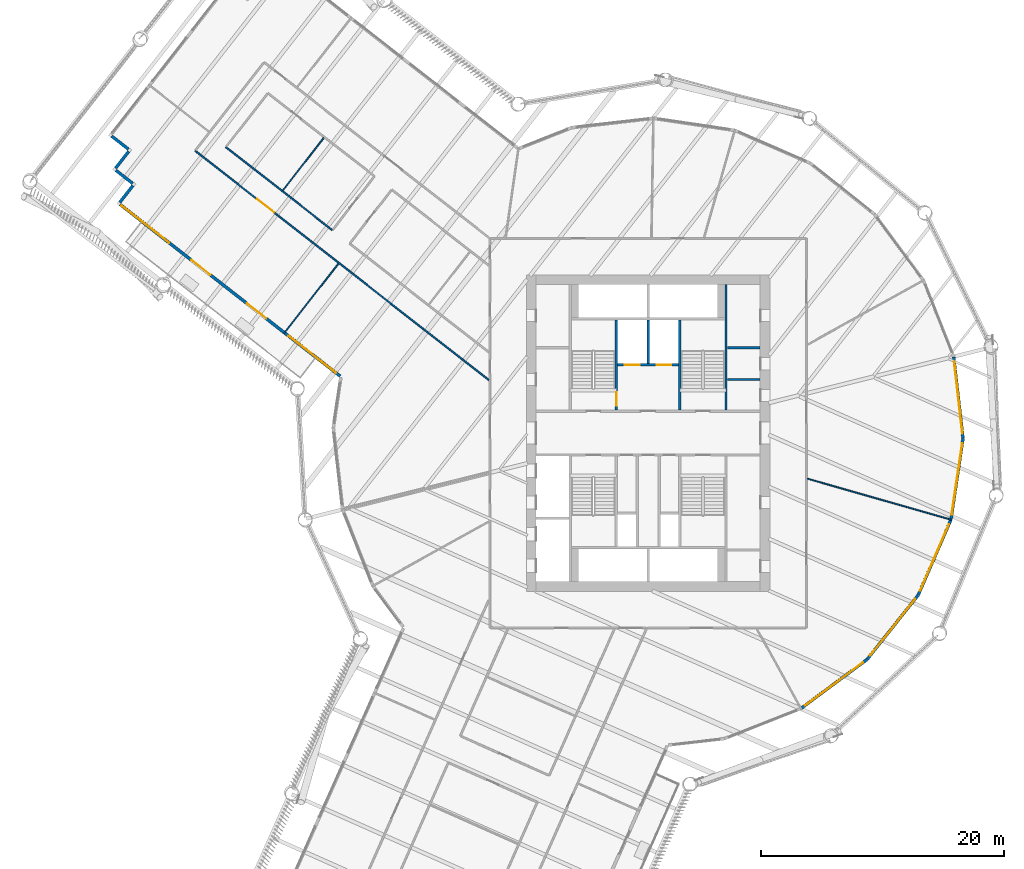
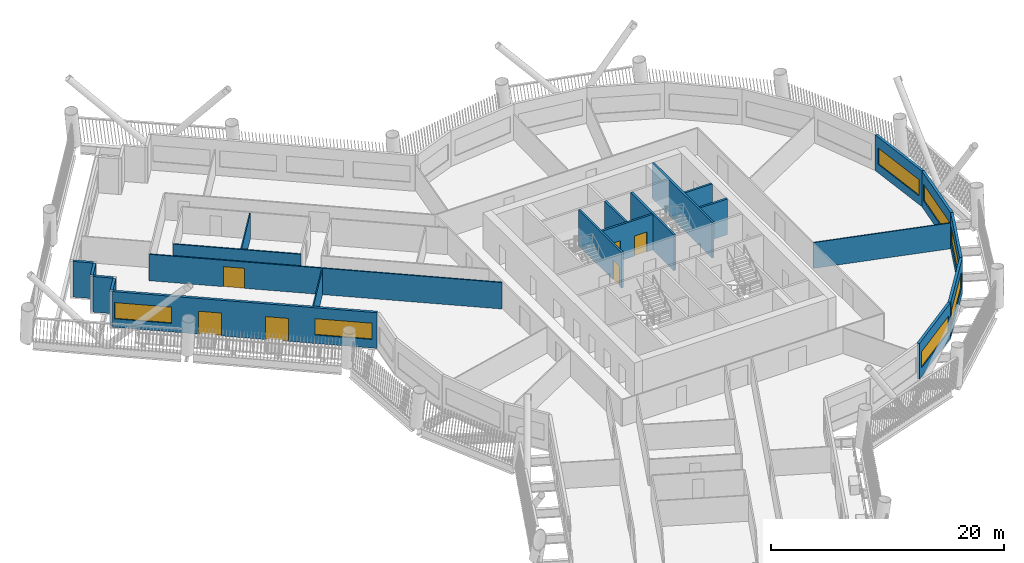
# One storey, part 6 of 22: 22 walls, 7 windows, 6 doors, 13 openings.
"""IFC4 building model written with IfcOpenShell, lengths in metres."""

from ifc_helpers import new_model, si_unit, direction, frame, frame_2d, origin, place, context, subcontext, project, spatial, rectangle, extrude, material, layer, layer_set, type_object, element, fill, save


model = new_model("IFC4")

# Units and contexts
model_context = context("Model", 3, precision=1e-05, world=origin(), true_north=direction((0.0, 1.0)))
body_context = subcontext(model_context, "Body", "Model", "MODEL_VIEW")
ifc_project = project(units=[si_unit("LENGTHUNIT", "METRE"), si_unit("AREAUNIT", "SQUARE_METRE"), si_unit("VOLUMEUNIT", "CUBIC_METRE"), si_unit("PLANEANGLEUNIT", "RADIAN"), si_unit("MASSUNIT", "GRAM", prefix="KILO")], contexts=[model_context])

# Site, building, storey
site_placement = place(None, origin())
site = spatial("IfcSite", under=ifc_project, at=site_placement, CompositionType="ELEMENT")
building_placement = place(site_placement, origin())
building = spatial("IfcBuilding", under=site, at=building_placement, Name="Tarsis Ring Headquarters", CompositionType="ELEMENT")
storey_placement = place(building_placement, frame((0.0, 0.0, 116.199951171875)))
storey = spatial("IfcBuildingStorey", under=building, at=storey_placement, Name="L26", CompositionType="ELEMENT", Elevation=116.199951171875)

# Walls
ifc_material_1 = material(Name="Blockwork", Category="masonry")
ifc_layer_1 = layer(ifc_material_1, 0.199951171875)
ifc_layer_set_1 = layer_set([ifc_layer_1], Name="Core blockwork wall 200")
wall_type_1 = type_object("IfcWallType", Name="Core blockwork wall 200", PredefinedType="PARTITIONING", material=ifc_layer_set_1)
for number, where, z_axis, x_axis, name in (
    (1, (6.5, 4.39990234375, 0.0), (0.0, 0.0, 1.0), (1.0, 0.0, 0.0), "Core partition ED5"),
    (2, (6.5, 7.0, 0.0), (0.0, 0.0, 1.0), (1.0, 0.0, 0.0), "Core partition ED6"),
):
    element("IfcWall", number, at=place(storey_placement, frame(where, z_axis=z_axis, x_axis=x_axis)), inside=storey, type_object=wall_type_1, Name=name, PredefinedType="PARTITIONING", context=body_context, shape_type="SweptSolid", body=[
        extrude(rectangle(XDim=2.699951171875, YDim=0.199951171875, at=frame_2d((1.35009765625, 0.0))), origin(), (0.0, 0.0, 1.0), 3.739990234375),
    ])
ifc_material_2 = material(Name="Gypsum board on steel studs", Category="steel")
ifc_layer_2 = layer(ifc_material_2, 0.10009765625)
ifc_layer_set_2 = layer_set([ifc_layer_2], Name="FL partition 100 unrated")
wall_type_2 = type_object("IfcWallType", Name="FL partition 100 unrated", PredefinedType="PARTITIONING", material=ifc_layer_set_2)
wall_1_placement = place(storey_placement, frame((13.0673828125, -3.737060546875, 0.0), z_axis=(0.0, 0.0, 1.0), x_axis=(0.961453085906, -0.274969022986, 0.0)))
element("IfcWall", 3, at=wall_1_placement, inside=storey, type_object=wall_type_2, Name="Partition PW3", PredefinedType="PARTITIONING", context=body_context, shape_type="SweptSolid", body=[
    extrude(rectangle(XDim=12.356689453125, YDim=0.10009765625, at=frame_2d((6.17822265625, 0.0))), origin(), (0.0, 0.0, 1.0), 2.699951171875),
])
wall_2_placement = place(storey_placement, frame((-29.915771484375, 8.1826171875, 0.0), z_axis=(0.0, 0.0, 1.0), x_axis=(0.615118651761, 0.788434552931, 0.0)))
element("IfcWall", 4, at=wall_2_placement, inside=storey, type_object=wall_type_2, Name="Partition PW3", PredefinedType="PARTITIONING", context=body_context, shape_type="SweptSolid", body=[
    extrude(rectangle(XDim=7.27001953125, YDim=0.10009765625, at=frame_2d((3.635009765625, 0.0))), origin(), (0.0, 0.0, 1.0), 2.699951171875),
])
wall_3_placement = place(storey_placement, frame((-30.006103515625, 19.9345703125, 0.0), z_axis=(0.0, 0.0, 1.0), x_axis=(0.61509661486, 0.788451745123, 0.0)))
element("IfcWall", 5, at=wall_3_placement, inside=storey, type_object=wall_type_2, Name="Partition PW3", PredefinedType="PARTITIONING", context=body_context, shape_type="SweptSolid", body=[
    extrude(rectangle(XDim=5.479736328125, YDim=0.10009765625, at=frame_2d((2.73974609375, 0.0))), origin(), (0.0, 0.0, 1.0), 2.699951171875),
])

# Wall, opening, door
ifc_layer_3 = layer(ifc_material_2, 0.125)
ifc_layer_set_3 = layer_set([ifc_layer_3], Name="FL partition 125 EI 60 H2770")
wall_type_3 = type_object("IfcWallType", Name="FL partition 125 EI 60 H2770", PredefinedType="PARTITIONING", material=ifc_layer_set_3)
wall_4_placement = place(storey_placement, frame((-37.211669921875, 23.18408203125, 0.0), z_axis=(0.0, 0.0, 1.0), x_axis=(0.788442384615, -0.615108613289, 0.0)))
wall_4 = element("IfcWall", 6, at=wall_4_placement, inside=storey, type_object=wall_type_3, Name="Partition PW1", PredefinedType="PARTITIONING", context=body_context, shape_type="SweptSolid", body=[
    extrude(rectangle(XDim=30.58837890625, YDim=0.125, at=frame_2d((15.294189453125, 0.0))), origin(), (0.0, 0.0, 1.0), 2.77001953125),
])
opening_1_placement = place(wall_4_placement, frame((6.449951171875, 0.0, 0.0)))
opening_1 = element("IfcOpeningElement", 7, at=opening_1_placement, cuts=wall_4, Name="Opening D26.01", PredefinedType="OPENING", context=body_context, shape_type="SweptSolid", body=[
    extrude(rectangle(XDim=1.800048828125, YDim=2.10009765625, at=frame_2d((0.89990234375, 1.050048828125))), frame((0.0, 0.072509765625, 0.0), z_axis=(0.0, -1.0, 0.0), x_axis=(1.0, 0.0, 0.0)), (0.0, 0.0, 1.0), 0.14501953125),
])
ifc_material_3 = material(Name="Fire-rated timber door leaf in steel frame", Category="steel")
door_type_1 = type_object("IfcDoorType", Name="FL door FD60-1800", OperationType="DOUBLE_DOOR_SINGLE_SWING", PredefinedType="DOOR", material=ifc_material_3)
door_1_placement = place(opening_1_placement, origin())
door_1 = element("IfcDoor", 8, at=door_1_placement, inside=storey, type_object=door_type_1, Name="Door D26.01", OperationType="DOUBLE_DOOR_SINGLE_SWING", OverallHeight=2.10009765625, OverallWidth=1.800048828125, PredefinedType="DOOR", context=body_context, shape_type="SweptSolid", body=[
    extrude(rectangle(XDim=1.800048828125, YDim=2.10009765625, at=frame_2d((0.89990234375, 1.050048828125))), frame((0.0, 0.02490234375, 0.0), z_axis=(0.0, -1.0, 0.0), x_axis=(1.0, 0.0, 0.0)), (0.0, 0.0, 1.0), 0.050048828125),
])
fill(opening_1, door_1)

# Wall
wall_5_placement = place(storey_placement, frame((-34.685302734375, 23.49609375, 0.0), z_axis=(0.0, 0.0, 1.0), x_axis=(0.78844534387, -0.615104820115, 0.0)))
element("IfcWall", 9, at=wall_5_placement, inside=storey, type_object=wall_type_3, Name="Partition PW1", PredefinedType="PARTITIONING", context=body_context, shape_type="SweptSolid", body=[
    extrude(rectangle(XDim=11.099853515625, YDim=0.125, at=frame_2d((5.5498046875, 0.0))), origin(), (0.0, 0.0, 1.0), 2.77001953125),
])

# Wall, openings, doors, windows
ifc_material_4 = material(Name="Terracotta clad insulated panel wall", Category="masonry")
ifc_layer_4 = layer(ifc_material_4, 0.25)
ifc_layer_set_4 = layer_set([ifc_layer_4], Name="Facade wall terracotta panel 250")
wall_type_4 = type_object("IfcWallType", Name="Facade wall terracotta panel 250", PredefinedType="STANDARD", material=ifc_layer_set_4)
wall_6_placement = place(storey_placement, frame((-43.37548828125, 18.778564453125, 0.0), z_axis=(0.0, 0.0, 1.0), x_axis=(0.788437736319, -0.6151145714, 0.0)))
wall_6 = element("IfcWall", 10, at=wall_6_placement, inside=storey, type_object=wall_type_4, Name="External wall L26-01", PredefinedType="STANDARD", context=body_context, shape_type="SweptSolid", body=[
    extrude(rectangle(XDim=22.921875, YDim=0.25, at=frame_2d((11.4609375, 0.0))), origin(), (0.0, 0.0, 1.0), 3.739990234375),
])
opening_2_placement = place(wall_6_placement, frame((0.17138671875, 0.0, 0.89990234375)))
opening_2 = element("IfcOpeningElement", 11, at=opening_2_placement, cuts=wall_6, Name="Opening WN05", PredefinedType="OPENING", context=body_context, shape_type="SweptSolid", body=[
    extrude(rectangle(XDim=4.949951171875, YDim=1.699951171875, at=frame_2d((2.47509765625, 0.85009765625))), frame((0.0, 0.135009765625, 0.0), z_axis=(0.0, -1.0, 0.0), x_axis=(1.0, 0.0, 0.0)), (0.0, 0.0, 1.0), 0.27001953125),
])
opening_3_placement = place(wall_6_placement, frame((7.439453125, 0.0, 0.0)))
opening_3 = element("IfcOpeningElement", 12, at=opening_3_placement, cuts=wall_6, Name="Opening L26-BD01", PredefinedType="OPENING", context=body_context, shape_type="SweptSolid", body=[
    extrude(rectangle(XDim=2.0, YDim=2.39990234375, at=frame_2d((1.0, 1.199951171875))), frame((0.0, 0.135009765625, 0.0), z_axis=(0.0, -1.0, 0.0), x_axis=(1.0, 0.0, 0.0)), (0.0, 0.0, 1.0), 0.27001953125),
])
opening_4_placement = place(wall_6_placement, frame((13.232421875, 0.0, 0.0)))
opening_4 = element("IfcOpeningElement", 13, at=opening_4_placement, cuts=wall_6, Name="Opening L26-BD02", PredefinedType="OPENING", context=body_context, shape_type="SweptSolid", body=[
    extrude(rectangle(XDim=2.0, YDim=2.39990234375, at=frame_2d((1.0, 1.199951171875))), frame((0.0, 0.135009765625, 0.0), z_axis=(0.0, -1.0, 0.0), x_axis=(1.0, 0.0, 0.0)), (0.0, 0.0, 1.0), 0.27001953125),
])
opening_5_placement = place(wall_6_placement, frame((17.550537109375, 0.0, 0.89990234375)))
opening_5 = element("IfcOpeningElement", 14, at=opening_5_placement, cuts=wall_6, Name="Opening WN05", PredefinedType="OPENING", context=body_context, shape_type="SweptSolid", body=[
    extrude(rectangle(XDim=4.949951171875, YDim=1.699951171875, at=frame_2d((2.47509765625, 0.85009765625))), frame((0.0, 0.135009765625, 0.0), z_axis=(0.0, -1.0, 0.0), x_axis=(1.0, 0.0, 0.0)), (0.0, 0.0, 1.0), 0.27001953125),
])
ifc_material_5 = material(Name="Aluminium framed double glazing", Category="aluminium")
door_type_2 = type_object("IfcDoorType", Name="Balcony sliding door 2000 x 2400", OperationType="SLIDING_TO_LEFT", PredefinedType="DOOR", material=ifc_material_5)
door_2_placement = place(opening_3_placement, origin())
door_2 = element("IfcDoor", 15, at=door_2_placement, inside=storey, type_object=door_type_2, Name="Door L26-BD01", OperationType="SINGLE_SWING_LEFT", OverallHeight=2.39990234375, OverallWidth=2.0, PredefinedType="DOOR", context=body_context, shape_type="SweptSolid", body=[
    extrude(rectangle(XDim=2.0, YDim=2.39990234375, at=frame_2d((1.0, 1.199951171875))), frame((0.0, 0.02490234375, 0.0), z_axis=(0.0, -1.0, 0.0), x_axis=(1.0, 0.0, 0.0)), (0.0, 0.0, 1.0), 0.050048828125),
])
fill(opening_3, door_2)
door_3_placement = place(opening_4_placement, origin())
door_3 = element("IfcDoor", 16, at=door_3_placement, inside=storey, type_object=door_type_2, Name="Door L26-BD02", OperationType="SINGLE_SWING_LEFT", OverallHeight=2.39990234375, OverallWidth=2.0, PredefinedType="DOOR", context=body_context, shape_type="SweptSolid", body=[
    extrude(rectangle(XDim=2.0, YDim=2.39990234375, at=frame_2d((1.0, 1.199951171875))), frame((0.0, 0.02490234375, 0.0), z_axis=(0.0, -1.0, 0.0), x_axis=(1.0, 0.0, 0.0)), (0.0, 0.0, 1.0), 0.050048828125),
])
fill(opening_4, door_3)
window_type_1 = type_object("IfcWindowType", Name="Facade window 4950 x 1700", PartitioningType="SINGLE_PANEL", PredefinedType="WINDOW", material=ifc_material_5)
window_1_placement = place(opening_2_placement, origin())
window_1 = element("IfcWindow", 17, at=window_1_placement, inside=storey, type_object=window_type_1, Name="Window L26-01.1", OverallHeight=1.699951171875, OverallWidth=4.949951171875, PartitioningType="SINGLE_PANEL", PredefinedType="WINDOW", context=body_context, shape_type="SweptSolid", body=[
    extrude(rectangle(XDim=4.949951171875, YDim=1.699951171875, at=frame_2d((2.47509765625, 0.85009765625))), frame((0.0, 0.030029296875, 0.0), z_axis=(0.0, -1.0, 0.0), x_axis=(1.0, 0.0, 0.0)), (0.0, 0.0, 1.0), 0.06005859375),
])
fill(opening_2, window_1)
window_2_placement = place(opening_5_placement, origin())
window_2 = element("IfcWindow", 18, at=window_2_placement, inside=storey, type_object=window_type_1, Name="Window L26-01.4", OverallHeight=1.699951171875, OverallWidth=4.949951171875, PartitioningType="SINGLE_PANEL", PredefinedType="WINDOW", context=body_context, shape_type="SweptSolid", body=[
    extrude(rectangle(XDim=4.949951171875, YDim=1.699951171875, at=frame_2d((2.47509765625, 0.85009765625))), frame((0.0, 0.030029296875, 0.0), z_axis=(0.0, -1.0, 0.0), x_axis=(1.0, 0.0, 0.0)), (0.0, 0.0, 1.0), 0.06005859375),
])
fill(opening_5, window_2)

# Wall, opening, window
wall_7_placement = place(storey_placement, frame((12.572998046875, -22.611328125, 0.0), z_axis=(0.0, 0.0, 1.0), x_axis=(0.80343878567, 0.595387367754, 0.0)))
wall_7 = element("IfcWall", 19, at=wall_7_placement, inside=storey, type_object=wall_type_4, Name="External wall L26-19", PredefinedType="STANDARD", context=body_context, shape_type="SweptSolid", body=[
    extrude(rectangle(XDim=6.7216796875, YDim=0.25, at=frame_2d((3.36083984375, 0.0))), origin(), (0.0, 0.0, 1.0), 3.739990234375),
])
opening_6_placement = place(wall_7_placement, frame((0.3857421875, 0.0, 0.89990234375)))
opening_6 = element("IfcOpeningElement", 20, at=opening_6_placement, cuts=wall_7, Name="Opening WN07", PredefinedType="OPENING", context=body_context, shape_type="SweptSolid", body=[
    extrude(rectangle(XDim=5.949951171875, YDim=1.699951171875, at=frame_2d((2.97509765625, 0.85009765625))), frame((0.0, 0.135009765625, 0.0), z_axis=(0.0, -1.0, 0.0), x_axis=(1.0, 0.0, 0.0)), (0.0, 0.0, 1.0), 0.27001953125),
])
window_type_2 = type_object("IfcWindowType", Name="Facade window 5950 x 1700", PartitioningType="SINGLE_PANEL", PredefinedType="WINDOW", material=ifc_material_5)
window_3_placement = place(opening_6_placement, origin())
window_3 = element("IfcWindow", 21, at=window_3_placement, inside=storey, type_object=window_type_2, Name="Window L26-19.1", OverallHeight=1.699951171875, OverallWidth=5.949951171875, PartitioningType="SINGLE_PANEL", PredefinedType="WINDOW", context=body_context, shape_type="SweptSolid", body=[
    extrude(rectangle(XDim=5.949951171875, YDim=1.699951171875, at=frame_2d((2.97509765625, 0.85009765625))), frame((0.0, 0.030029296875, 0.0), z_axis=(0.0, -1.0, 0.0), x_axis=(1.0, 0.0, 0.0)), (0.0, 0.0, 1.0), 0.06005859375),
])
fill(opening_6, window_3)

wall_8_placement = place(storey_placement, frame((17.996826171875, -18.586669921875, 0.0), z_axis=(0.0, 0.0, 1.0), x_axis=(0.621958139493, 0.783050491806, 0.0)))
wall_8 = element("IfcWall", 22, at=wall_8_placement, inside=storey, type_object=wall_type_4, Name="External wall L26-20", PredefinedType="STANDARD", context=body_context, shape_type="SweptSolid", body=[
    extrude(rectangle(XDim=6.721435546875, YDim=0.25, at=frame_2d((3.36083984375, 0.0))), origin(), (0.0, 0.0, 1.0), 3.739990234375),
])
opening_7_placement = place(wall_8_placement, frame((0.3857421875, 0.0, 0.89990234375)))
opening_7 = element("IfcOpeningElement", 23, at=opening_7_placement, cuts=wall_8, Name="Opening WN07", PredefinedType="OPENING", context=body_context, shape_type="SweptSolid", body=[
    extrude(rectangle(XDim=5.949951171875, YDim=1.699951171875, at=frame_2d((2.97509765625, 0.85009765625))), frame((0.0, 0.135009765625, 0.0), z_axis=(0.0, -1.0, 0.0), x_axis=(1.0, 0.0, 0.0)), (0.0, 0.0, 1.0), 0.27001953125),
])
window_4_placement = place(opening_7_placement, origin())
window_4 = element("IfcWindow", 24, at=window_4_placement, inside=storey, type_object=window_type_2, Name="Window L26-20.1", OverallHeight=1.699951171875, OverallWidth=5.949951171875, PartitioningType="SINGLE_PANEL", PredefinedType="WINDOW", context=body_context, shape_type="SweptSolid", body=[
    extrude(rectangle(XDim=5.949951171875, YDim=1.699951171875, at=frame_2d((2.97509765625, 0.85009765625))), frame((0.0, 0.030029296875, 0.0), z_axis=(0.0, -1.0, 0.0), x_axis=(1.0, 0.0, 0.0)), (0.0, 0.0, 1.0), 0.06005859375),
])
fill(opening_7, window_4)

wall_9_placement = place(storey_placement, frame((22.194091796875, -13.29541015625, 0.0), z_axis=(0.0, 0.0, 1.0), x_axis=(0.398132334781, 0.917327991507, 0.0)))
wall_9 = element("IfcWall", 25, at=wall_9_placement, inside=storey, type_object=wall_type_4, Name="External wall L26-21", PredefinedType="STANDARD", context=body_context, shape_type="SweptSolid", body=[
    extrude(rectangle(XDim=6.721435546875, YDim=0.25, at=frame_2d((3.36083984375, 0.0))), origin(), (0.0, 0.0, 1.0), 3.739990234375),
])
opening_8_placement = place(wall_9_placement, frame((0.3857421875, 0.0, 0.89990234375)))
opening_8 = element("IfcOpeningElement", 26, at=opening_8_placement, cuts=wall_9, Name="Opening WN07", PredefinedType="OPENING", context=body_context, shape_type="SweptSolid", body=[
    extrude(rectangle(XDim=5.949951171875, YDim=1.699951171875, at=frame_2d((2.97509765625, 0.85009765625))), frame((0.0, 0.135009765625, 0.0), z_axis=(0.0, -1.0, 0.0), x_axis=(1.0, 0.0, 0.0)), (0.0, 0.0, 1.0), 0.27001953125),
])
window_5_placement = place(opening_8_placement, origin())
window_5 = element("IfcWindow", 27, at=window_5_placement, inside=storey, type_object=window_type_2, Name="Window L26-21.1", OverallHeight=1.699951171875, OverallWidth=5.949951171875, PartitioningType="SINGLE_PANEL", PredefinedType="WINDOW", context=body_context, shape_type="SweptSolid", body=[
    extrude(rectangle(XDim=5.949951171875, YDim=1.699951171875, at=frame_2d((2.97509765625, 0.85009765625))), frame((0.0, 0.030029296875, 0.0), z_axis=(0.0, -1.0, 0.0), x_axis=(1.0, 0.0, 0.0)), (0.0, 0.0, 1.0), 0.06005859375),
])
fill(opening_8, window_5)

wall_10_placement = place(storey_placement, frame((24.87890625, -7.09814453125, 0.0), z_axis=(0.0, 0.0, 1.0), x_axis=(0.14713968109, 0.989115723386, 0.0)))
wall_10 = element("IfcWall", 28, at=wall_10_placement, inside=storey, type_object=wall_type_4, Name="External wall L26-22", PredefinedType="STANDARD", context=body_context, shape_type="SweptSolid", body=[
    extrude(rectangle(XDim=6.7216796875, YDim=0.25, at=frame_2d((3.36083984375, 0.0))), origin(), (0.0, 0.0, 1.0), 3.739990234375),
])
opening_9_placement = place(wall_10_placement, frame((0.3857421875, 0.0, 0.89990234375)))
opening_9 = element("IfcOpeningElement", 29, at=opening_9_placement, cuts=wall_10, Name="Opening WN07", PredefinedType="OPENING", context=body_context, shape_type="SweptSolid", body=[
    extrude(rectangle(XDim=5.949951171875, YDim=1.699951171875, at=frame_2d((2.97509765625, 0.85009765625))), frame((0.0, 0.135009765625, 0.0), z_axis=(0.0, -1.0, 0.0), x_axis=(1.0, 0.0, 0.0)), (0.0, 0.0, 1.0), 0.27001953125),
])
window_6_placement = place(opening_9_placement, origin())
window_6 = element("IfcWindow", 30, at=window_6_placement, inside=storey, type_object=window_type_2, Name="Window L26-22.1", OverallHeight=1.699951171875, OverallWidth=5.949951171875, PartitioningType="SINGLE_PANEL", PredefinedType="WINDOW", context=body_context, shape_type="SweptSolid", body=[
    extrude(rectangle(XDim=5.949951171875, YDim=1.699951171875, at=frame_2d((2.97509765625, 0.85009765625))), frame((0.0, 0.030029296875, 0.0), z_axis=(0.0, -1.0, 0.0), x_axis=(1.0, 0.0, 0.0)), (0.0, 0.0, 1.0), 0.06005859375),
])
fill(opening_9, window_6)

wall_11_placement = place(storey_placement, frame((25.868408203125, -0.417236328125, 0.0), z_axis=(0.0, 0.0, 1.0), x_axis=(-0.113903063596, 0.993491868162, 0.0)))
wall_11 = element("IfcWall", 31, at=wall_11_placement, inside=storey, type_object=wall_type_4, Name="External wall L26-23", PredefinedType="STANDARD", context=body_context, shape_type="SweptSolid", body=[
    extrude(rectangle(XDim=6.7216796875, YDim=0.25, at=frame_2d((3.36083984375, 0.0))), origin(), (0.0, 0.0, 1.0), 3.739990234375),
])
opening_10_placement = place(wall_11_placement, frame((0.3857421875, 0.0, 0.89990234375)))
opening_10 = element("IfcOpeningElement", 32, at=opening_10_placement, cuts=wall_11, Name="Opening WN07", PredefinedType="OPENING", context=body_context, shape_type="SweptSolid", body=[
    extrude(rectangle(XDim=5.949951171875, YDim=1.699951171875, at=frame_2d((2.97509765625, 0.85009765625))), frame((0.0, 0.135009765625, 0.0), z_axis=(0.0, -1.0, 0.0), x_axis=(1.0, 0.0, 0.0)), (0.0, 0.0, 1.0), 0.27001953125),
])
window_7_placement = place(opening_10_placement, origin())
window_7 = element("IfcWindow", 33, at=window_7_placement, inside=storey, type_object=window_type_2, Name="Window L26-23.1", OverallHeight=1.699951171875, OverallWidth=5.949951171875, PartitioningType="SINGLE_PANEL", PredefinedType="WINDOW", context=body_context, shape_type="SweptSolid", body=[
    extrude(rectangle(XDim=5.949951171875, YDim=1.699951171875, at=frame_2d((2.97509765625, 0.85009765625))), frame((0.0, 0.030029296875, 0.0), z_axis=(0.0, -1.0, 0.0), x_axis=(1.0, 0.0, 0.0)), (0.0, 0.0, 1.0), 0.06005859375),
])
fill(opening_10, window_7)

# Walls
for number, where, z_axis, x_axis, name in (
    (34, (-44.06884765625, 24.392822265625, 0.0), (0.0, 0.0, 1.0), (0.788419753577, -0.615137620513, 0.0), "External wall L26-37"),
    (35, (-42.66748046875, 23.140869140625, 0.0), (0.0, 0.0, 1.0), (-0.615137620513, -0.788419753577, 0.0), "External wall L26-38"),
    (36, (-43.72216796875, 21.585693359375, 0.0), (0.0, 0.0, 1.0), (0.788419753577, -0.615137620513, 0.0), "External wall L26-39"),
    (37, (-42.32080078125, 20.333740234375, 0.0), (0.0, 0.0, 1.0), (-0.615137620513, -0.788419753577, 0.0), "External wall L26-40"),
):
    element("IfcWall", number, at=place(storey_placement, frame(where, z_axis=z_axis, x_axis=x_axis)), inside=storey, type_object=wall_type_4, Name=name, PredefinedType="STANDARD", context=body_context, shape_type="SweptSolid", body=[
        extrude(rectangle(XDim=1.75, YDim=0.25, at=frame_2d((0.875, 0.0))), origin(), (0.0, 0.0, 1.0), 3.739990234375),
    ])
ifc_material_6 = material(Name="Concrete C32/40", Category="concrete")
ifc_layer_5 = layer(ifc_material_6, 0.199951171875)
ifc_layer_set_5 = layer_set([ifc_layer_5], Name="Shaft wall 200 C32/40")
wall_type_5 = type_object("IfcWallType", Name="Shaft wall 200 C32/40", PredefinedType="SOLIDWALL", material=ifc_layer_set_5)
wall_12_placement = place(storey_placement, frame((6.39990234375, 1.89990234375, 0.0), z_axis=(0.0, 0.0, 1.0), x_axis=(0.0, 1.0, 0.0)))
element("IfcWall", 38, at=wall_12_placement, inside=storey, type_object=wall_type_5, Name="Core shaft wall EB2", PredefinedType="SOLIDWALL", context=body_context, shape_type="SweptSolid", body=[
    extrude(rectangle(XDim=10.300048828125, YDim=0.199951171875, at=frame_2d((5.14990234375, 0.0))), origin(), (0.0, 0.0, 1.0), 3.739990234375),
])

# Wall, opening, door
wall_13_placement = place(storey_placement, frame((-2.60009765625, 1.89990234375, 0.0), z_axis=(0.0, 0.0, 1.0), x_axis=(0.0, 1.0, 0.0)))
wall_13 = element("IfcWall", 39, at=wall_13_placement, inside=storey, type_object=wall_type_5, Name="Core shaft wall SW1", PredefinedType="SOLIDWALL", context=body_context, shape_type="SweptSolid", body=[
    extrude(rectangle(XDim=7.400146484375, YDim=0.199951171875, at=frame_2d((3.7001953125, 0.0))), origin(), (0.0, 0.0, 1.0), 3.739990234375),
])
opening_11_placement = place(wall_13_placement, frame((0.35009765625, 0.0, 0.0)))
opening_11 = element("IfcOpeningElement", 40, at=opening_11_placement, cuts=wall_13, Name="Opening L26-C22", PredefinedType="OPENING", context=body_context, shape_type="SweptSolid", body=[
    extrude(rectangle(XDim=1.10009765625, YDim=2.10009765625, at=frame_2d((0.550048828125, 1.050048828125))), frame((0.0, 0.10986328125, 0.0), z_axis=(0.0, -1.0, 0.0), x_axis=(1.0, 0.0, 0.0)), (0.0, 0.0, 1.0), 0.219970703125),
])
ifc_material_7 = material(Name="Steel S355", Category="steel")
door_type_3 = type_object("IfcDoorType", Name="Stair door 1100x2100", OperationType="SINGLE_SWING_LEFT", PredefinedType="DOOR", material=ifc_material_7)
door_4_placement = place(opening_11_placement, origin())
door_4 = element("IfcDoor", 41, at=door_4_placement, inside=storey, type_object=door_type_3, Name="Stair door L26", OperationType="SINGLE_SWING_LEFT", OverallHeight=2.10009765625, OverallWidth=1.10009765625, PredefinedType="DOOR", context=body_context, shape_type="SweptSolid", body=[
    extrude(rectangle(XDim=1.10009765625, YDim=2.10009765625, at=frame_2d((0.550048828125, 1.050048828125))), frame((0.0, 0.02490234375, 0.0), z_axis=(0.0, -1.0, 0.0), x_axis=(1.0, 0.0, 0.0)), (0.0, 0.0, 1.0), 0.050048828125),
])
fill(opening_11, door_4)

# Wall
wall_14_placement = place(storey_placement, frame((2.60009765625, 1.89990234375, 0.0), z_axis=(0.0, 0.0, 1.0), x_axis=(0.0, 1.0, 0.0)))
element("IfcWall", 42, at=wall_14_placement, inside=storey, type_object=wall_type_5, Name="Core shaft wall SW2", PredefinedType="SOLIDWALL", context=body_context, shape_type="SweptSolid", body=[
    extrude(rectangle(XDim=7.400146484375, YDim=0.199951171875, at=frame_2d((3.7001953125, 0.0))), origin(), (0.0, 0.0, 1.0), 3.739990234375),
])

# Wall, openings, doors
wall_15_placement = place(storey_placement, frame((-2.5, 5.60009765625, 0.0), z_axis=(0.0, 0.0, 1.0), x_axis=(1.0, 0.0, 0.0)))
wall_15 = element("IfcWall", 43, at=wall_15_placement, inside=storey, type_object=wall_type_5, Name="Core shaft wall FFN", PredefinedType="SOLIDWALL", context=body_context, shape_type="SweptSolid", body=[
    extrude(rectangle(XDim=5.0, YDim=0.199951171875, at=frame_2d((2.5, 0.0))), origin(), (0.0, 0.0, 1.0), 3.739990234375),
])
opening_12_placement = place(wall_15_placement, frame((0.60009765625, 0.0, 0.0)))
opening_12 = element("IfcOpeningElement", 44, at=opening_12_placement, cuts=wall_15, Name="Opening LDF-1", PredefinedType="OPENING", context=body_context, shape_type="SweptSolid", body=[
    extrude(rectangle(XDim=1.199951171875, YDim=2.10009765625, at=frame_2d((0.60009765625, 1.050048828125))), frame((0.0, 0.10986328125, 0.0), z_axis=(0.0, -1.0, 0.0), x_axis=(1.0, 0.0, 0.0)), (0.0, 0.0, 1.0), 0.219970703125),
])
opening_13_placement = place(wall_15_placement, frame((3.199951171875, 0.0, 0.0)))
opening_13 = element("IfcOpeningElement", 45, at=opening_13_placement, cuts=wall_15, Name="Opening LDF-2", PredefinedType="OPENING", context=body_context, shape_type="SweptSolid", body=[
    extrude(rectangle(XDim=1.199951171875, YDim=2.10009765625, at=frame_2d((0.60009765625, 1.050048828125))), frame((0.0, 0.10986328125, 0.0), z_axis=(0.0, -1.0, 0.0), x_axis=(1.0, 0.0, 0.0)), (0.0, 0.0, 1.0), 0.219970703125),
])
door_type_4 = type_object("IfcDoorType", Name="Firefighting landing door 1200x2100", OperationType="SLIDING_TO_LEFT", PredefinedType="DOOR", material=ifc_material_7)
door_5_placement = place(opening_12_placement, origin())
door_5 = element("IfcDoor", 46, at=door_5_placement, inside=storey, type_object=door_type_4, Name="Landing door FF1 L26", OperationType="SLIDING_TO_LEFT", OverallHeight=2.10009765625, OverallWidth=1.199951171875, PredefinedType="DOOR", context=body_context, shape_type="SweptSolid", body=[
    extrude(rectangle(XDim=1.199951171875, YDim=2.10009765625, at=frame_2d((0.60009765625, 1.050048828125))), frame((0.0, 0.02490234375, 0.0), z_axis=(0.0, -1.0, 0.0), x_axis=(1.0, 0.0, 0.0)), (0.0, 0.0, 1.0), 0.050048828125),
])
fill(opening_12, door_5)
door_6_placement = place(opening_13_placement, origin())
door_6 = element("IfcDoor", 47, at=door_6_placement, inside=storey, type_object=door_type_4, Name="Landing door FF2 L26", OperationType="SLIDING_TO_LEFT", OverallHeight=2.10009765625, OverallWidth=1.199951171875, PredefinedType="DOOR", context=body_context, shape_type="SweptSolid", body=[
    extrude(rectangle(XDim=1.199951171875, YDim=2.10009765625, at=frame_2d((0.60009765625, 1.050048828125))), frame((0.0, 0.02490234375, 0.0), z_axis=(0.0, -1.0, 0.0), x_axis=(1.0, 0.0, 0.0)), (0.0, 0.0, 1.0), 0.050048828125),
])
fill(opening_13, door_6)

# Wall
wall_16_placement = place(storey_placement, frame((0.0, 5.699951171875, 0.0), z_axis=(0.0, 0.0, 1.0), x_axis=(0.0, 1.0, 0.0)))
element("IfcWall", 48, at=wall_16_placement, inside=storey, type_object=wall_type_5, Name="Core shaft wall FFD", PredefinedType="SOLIDWALL", context=body_context, shape_type="SweptSolid", body=[
    extrude(rectangle(XDim=3.60009765625, YDim=0.199951171875, at=frame_2d((1.800048828125, 0.0))), origin(), (0.0, 0.0, 1.0), 3.739990234375),
])

save(model, "model.ifc")
